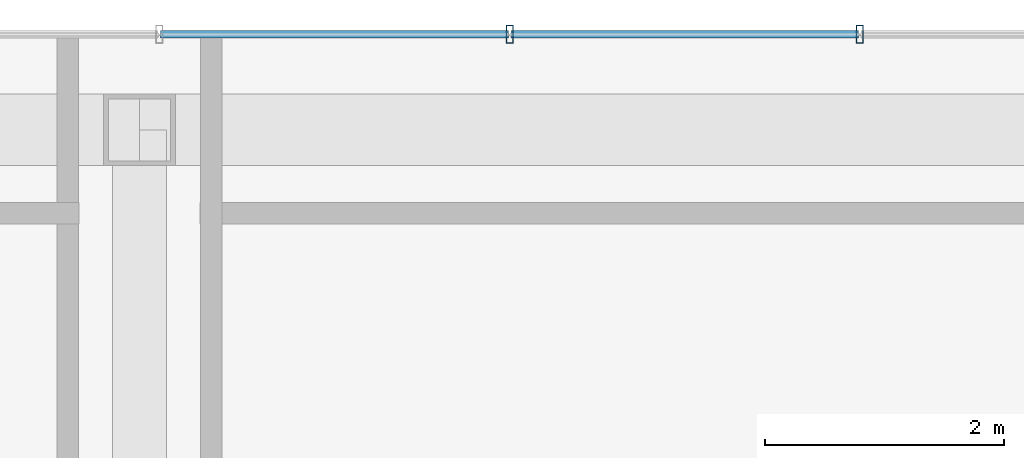
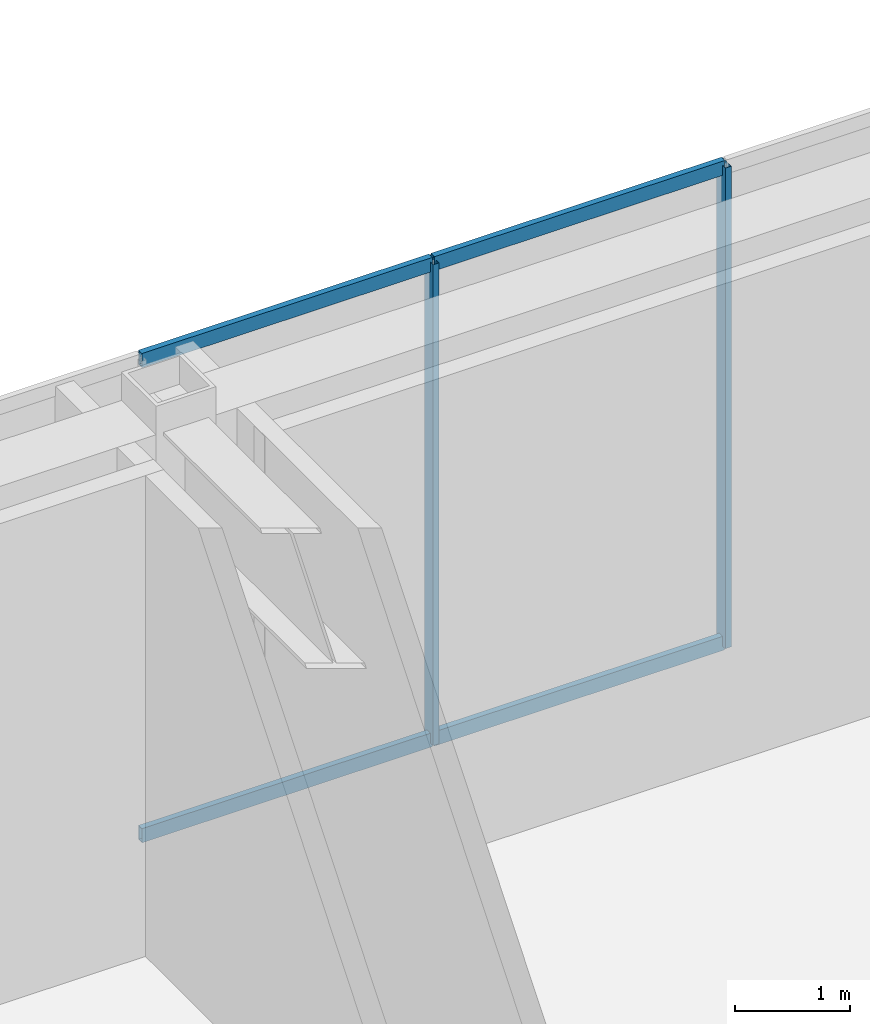
# One storey, part 3 of 9: 6 members, 1 element without a shape of its own.
"""IFC4 building model written with IfcOpenShell, lengths in metres."""

from ifc_helpers import new_model, si_unit, direction, frame, origin, origin_2d, place, context, subcontext, project, spatial, hollow_rectangle, extrude, material, material_profile, profile_set, type_object, element, aggregate, save


model = new_model("IFC4")

# Units and contexts
model_context = context("Model", 3, precision=1e-05, world=origin(), true_north=direction((0.0, 1.0)))
body_context = subcontext(model_context, "Body", "Model", "MODEL_VIEW")
ifc_project = project(units=[si_unit("LENGTHUNIT", "METRE"), si_unit("AREAUNIT", "SQUARE_METRE"), si_unit("VOLUMEUNIT", "CUBIC_METRE"), si_unit("PLANEANGLEUNIT", "RADIAN"), si_unit("MASSUNIT", "GRAM", prefix="KILO")], contexts=[model_context])

# Site, building, storey
site_placement = place(None, origin())
site = spatial("IfcSite", under=ifc_project, at=site_placement, CompositionType="ELEMENT")
building_placement = place(site_placement, origin())
building = spatial("IfcBuilding", under=site, at=building_placement, Name="Ventersveld Concourse Tower", CompositionType="ELEMENT")
storey_placement = place(building_placement, frame((0.0, 0.0, 372.050048828125)))
storey = spatial("IfcBuildingStorey", under=building, at=storey_placement, Name="L91", CompositionType="ELEMENT", Elevation=372.050048828125)

# Curtain wall, members
ifc_material = material(Name="Anodised aluminium EN AW-6063-T6", Category="aluminium")
curtain_wall_type = type_object("IfcCurtainWallType", Name="CW-CRN-6", PredefinedType="NOTDEFINED", material=ifc_material)
curtain_wall_placement = place(storey_placement, origin())
curtain_wall = element("IfcCurtainWall", 1, at=curtain_wall_placement, inside=storey, type_object=curtain_wall_type, Name="L91 L91 Crown North Glazed Curtain Wall", PredefinedType="NOTDEFINED")
ifc_material_profile_1 = material_profile(ifc_material, hollow_rectangle(XDim=0.06005859375, YDim=0.14990234375, WallThickness=0.00390625, at=origin_2d()), Name="ALU 150x60x4")
ifc_profile_set_1 = profile_set([ifc_material_profile_1], Name="Anodised aluminium EN AW-6063-T6")
member_type_1 = type_object("IfcMemberType", Name="CWM-150x65", PredefinedType="MULLION", material=ifc_profile_set_1)
member_1_placement = place(storey_placement, frame((27.283203125, 22.0, 0.0), z_axis=(0.0, 0.0, 1.0), x_axis=(1.0, 0.0, 0.0)))
member_1 = element("IfcMember", 2, at=member_1_placement, type_object=member_type_1, Name="CW-L91-N Mullion 06", PredefinedType="MULLION", context=body_context, shape_type="SweptSolid", body=[
    extrude(hollow_rectangle(XDim=0.06005859375, YDim=0.14990234375, WallThickness=0.00390625, at=origin_2d()), origin(), (0.0, 0.0, 1.0), 5.099853515625),
])
member_2_placement = place(storey_placement, frame((24.35009765625, 22.0, 0.0), z_axis=(0.0, 0.0, 1.0), x_axis=(1.0, 0.0, 0.0)))
member_2 = element("IfcMember", 3, at=member_2_placement, type_object=member_type_1, Name="CW-L91-N Mullion 07", PredefinedType="MULLION", context=body_context, shape_type="SweptSolid", body=[
    extrude(hollow_rectangle(XDim=0.06005859375, YDim=0.14990234375, WallThickness=0.00390625, at=origin_2d()), origin(), (0.0, 0.0, 1.0), 5.099853515625),
])
ifc_material_profile_2 = material_profile(ifc_material, hollow_rectangle(XDim=0.06005859375, YDim=0.14990234375, WallThickness=0.00390625, at=origin_2d()), Name="ALU 150x60x4")
ifc_profile_set_2 = profile_set([ifc_material_profile_2], Name="Anodised aluminium EN AW-6063-T6")
member_type_2 = type_object("IfcMemberType", Name="CWT-150x60", PredefinedType="USERDEFINED", material=ifc_profile_set_2)
member_3_placement = place(storey_placement, frame((27.273193359375, 22.0, 0.030029296875), z_axis=(-1.0, 0.0, 0.0), x_axis=(0.0, -1.0, 0.0)))
member_3 = element("IfcMember", 4, at=member_3_placement, type_object=member_type_2, Name="CW-L91-N Transom 1-06", ObjectType="TRANSOM", PredefinedType="USERDEFINED", context=body_context, shape_type="SweptSolid", body=[
    extrude(hollow_rectangle(XDim=0.06005859375, YDim=0.14990234375, WallThickness=0.00390625, at=origin_2d()), origin(), (0.0, 0.0, 1.0), 2.9130859375),
])
member_4_placement = place(storey_placement, frame((24.340087890625, 22.0, 0.030029296875), z_axis=(-1.0, 0.0, 0.0), x_axis=(0.0, -1.0, 0.0)))
member_4 = element("IfcMember", 5, at=member_4_placement, type_object=member_type_2, Name="CW-L91-N Transom 1-07", ObjectType="TRANSOM", PredefinedType="USERDEFINED", context=body_context, shape_type="SweptSolid", body=[
    extrude(hollow_rectangle(XDim=0.06005859375, YDim=0.14990234375, WallThickness=0.00390625, at=origin_2d()), origin(), (0.0, 0.0, 1.0), 2.913330078125),
])
member_5_placement = place(storey_placement, frame((27.273193359375, 22.0, 5.070068359375), z_axis=(-1.0, 0.0, 0.0), x_axis=(0.0, -1.0, 0.0)))
member_5 = element("IfcMember", 6, at=member_5_placement, type_object=member_type_2, Name="CW-L91-N Transom 2-06", ObjectType="TRANSOM", PredefinedType="USERDEFINED", context=body_context, shape_type="SweptSolid", body=[
    extrude(hollow_rectangle(XDim=0.06005859375, YDim=0.14990234375, WallThickness=0.00390625, at=origin_2d()), origin(), (0.0, 0.0, 1.0), 2.9130859375),
])
member_6_placement = place(storey_placement, frame((24.340087890625, 22.0, 5.070068359375), z_axis=(-1.0, 0.0, 0.0), x_axis=(0.0, -1.0, 0.0)))
member_6 = element("IfcMember", 7, at=member_6_placement, type_object=member_type_2, Name="CW-L91-N Transom 2-07", ObjectType="TRANSOM", PredefinedType="USERDEFINED", context=body_context, shape_type="SweptSolid", body=[
    extrude(hollow_rectangle(XDim=0.06005859375, YDim=0.14990234375, WallThickness=0.00390625, at=origin_2d()), origin(), (0.0, 0.0, 1.0), 2.913330078125),
])
aggregate(curtain_wall, [member_1, member_2, member_3, member_4, member_5, member_6])

save(model, "model.ifc")
